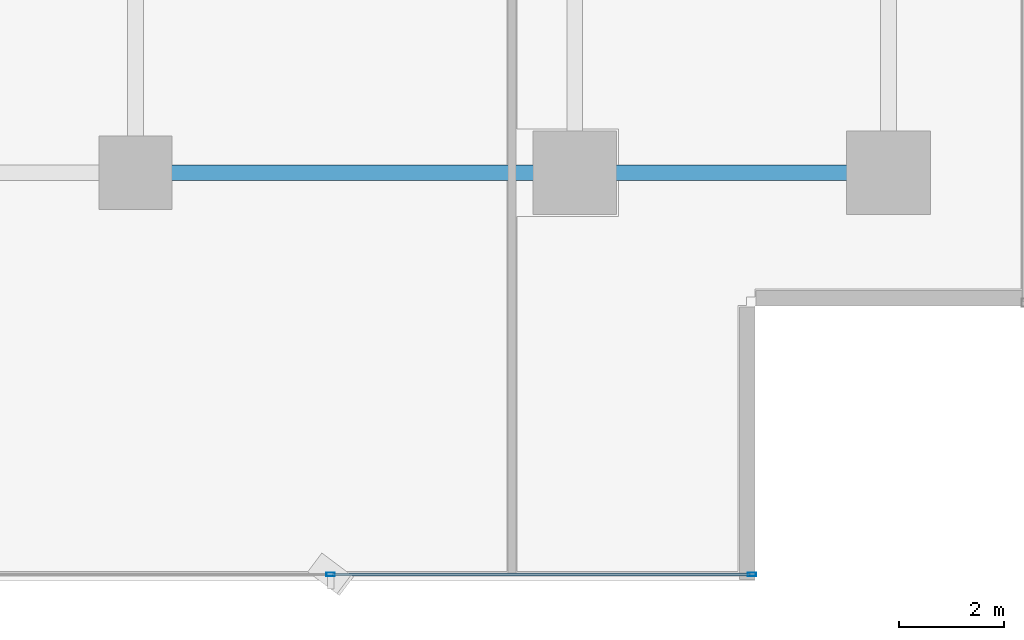
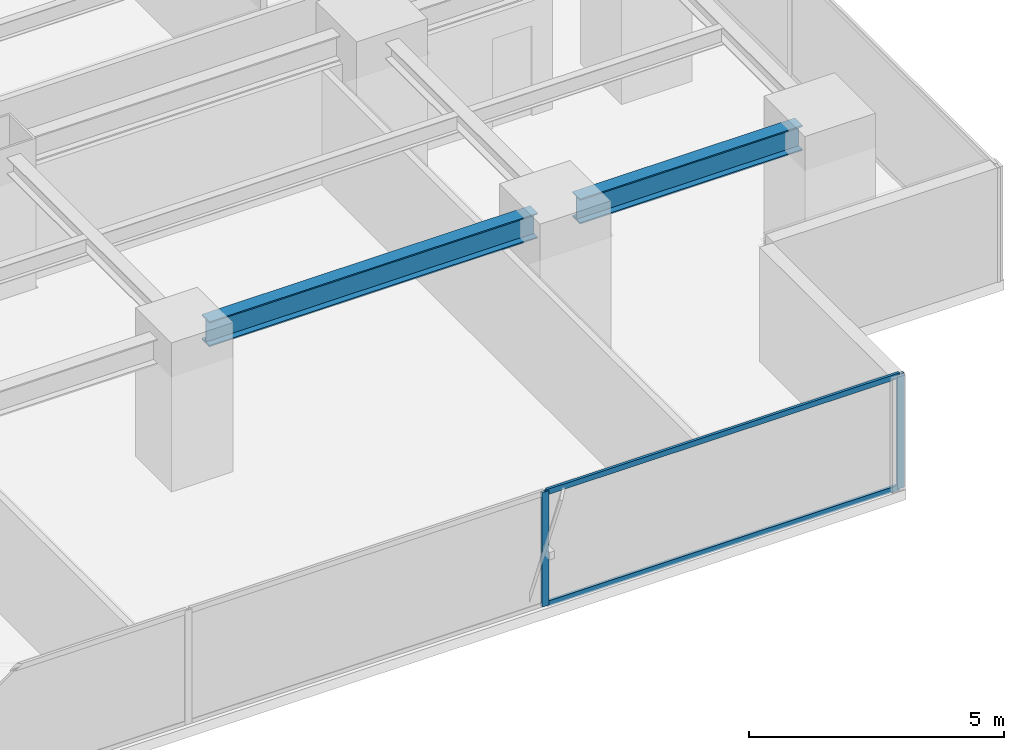
# One storey, part 12 of 37: 4 members, 2 beams, 1 element without a shape of its own.
"""IFC4 building model written with IfcOpenShell, lengths in metres."""

from ifc_helpers import new_model, si_unit, direction, frame, origin, origin_2d, place, context, subcontext, project, spatial, hollow_rectangle, i_section, extrude, source, transform, mapped, material, layer, layer_set, material_profile, profile_set, type_object, element, aggregate, save


model = new_model("IFC4")

# Units and contexts
model_context = context("Model", 3, precision=1e-05, world=origin(), true_north=direction((0.0, 1.0)))
body_context = subcontext(model_context, "Body", "Model", "MODEL_VIEW")
ifc_project = project(units=[si_unit("LENGTHUNIT", "METRE"), si_unit("AREAUNIT", "SQUARE_METRE"), si_unit("VOLUMEUNIT", "CUBIC_METRE"), si_unit("PLANEANGLEUNIT", "RADIAN"), si_unit("MASSUNIT", "GRAM", prefix="KILO")], contexts=[model_context])

# Site, building, storey
site_placement = place(None, origin())
site = spatial("IfcSite", under=ifc_project, at=site_placement, CompositionType="ELEMENT")
building_placement = place(site_placement, origin())
building = spatial("IfcBuilding", under=site, at=building_placement, Name="Sumidabori Civic Tower", CompositionType="ELEMENT")
storey_placement = place(building_placement, frame((0.0, 0.0, 95.60009765625)))
storey = spatial("IfcBuildingStorey", under=building, at=storey_placement, Name="L24", CompositionType="ELEMENT", Elevation=95.60009765625)

# Beams
ifc_material_1 = material(Name="Steel SN490", Category="steel")
ifc_material_profile_1 = material_profile(ifc_material_1, i_section(OverallWidth=0.300048828125, OverallDepth=0.60009765625, WebThickness=0.015380859375, FlangeThickness=0.030029296875, at=origin_2d()), Name="HE 600 B")
ifc_profile_set_1 = profile_set([ifc_material_profile_1], Name="Steel SN490")
beam_type = type_object("IfcBeamType", Name="BM-GIRD-600", PredefinedType="BEAM", material=ifc_profile_set_1)
shared_shape_1 = source(origin(), body_context, "Body", "SweptSolid", [
    extrude(i_section(OverallWidth=0.300048828125, OverallDepth=0.60009765625, WebThickness=0.015380859375, FlangeThickness=0.030029296875, at=origin_2d()), origin(), (0.0, 0.0, 1.0), 5.0400390625),
])
beam_1_placement = place(storey_placement, frame((17.280029296875, -18.0, 3.059814453125), z_axis=(1.0, 0.0, 0.0), x_axis=(0.0, 1.0, 0.0)))
element("IfcBeam", 1, at=beam_1_placement, inside=storey, type_object=beam_type, Name="Primary Girder L24 GX-06", PredefinedType="BEAM", context=body_context, shape_type="MappedRepresentation", body=[
    mapped(shared_shape_1, transform((0.0, 0.0, 0.0), x_axis=(1.0, 0.0, 0.0), y_axis=(0.0, 1.0, 0.0), z_axis=(0.0, 0.0, 1.0), scale=1.0)),
])
shared_shape_2 = source(origin(), body_context, "Body", "SweptSolid", [
    extrude(i_section(OverallWidth=0.300048828125, OverallDepth=0.60009765625, WebThickness=0.015380859375, FlangeThickness=0.030029296875, at=origin_2d()), origin(), (0.0, 0.0, 1.0), 7.440185546875),
])
beam_2_placement = place(storey_placement, frame((8.8798828125, -18.0, 3.059814453125), z_axis=(1.0, 0.0, 0.0), x_axis=(0.0, 1.0, 0.0)))
element("IfcBeam", 2, at=beam_2_placement, inside=storey, type_object=beam_type, Name="Primary Girder L24 GX-05", PredefinedType="BEAM", context=body_context, shape_type="MappedRepresentation", body=[
    mapped(shared_shape_2, transform((0.0, 0.0, 0.0), x_axis=(1.0, 0.0, 0.0), y_axis=(0.0, 1.0, 0.0), z_axis=(0.0, 0.0, 1.0), scale=1.0)),
])

# Curtain wall, members
ifc_material_2 = material(Name="Anodised Bronze Aluminium AW-6063-T6", Category="aluminium")
ifc_layer = layer(ifc_material_2, 0.179931640625, Name="Anodised Bronze Aluminium AW-6063-T6")
ifc_layer_set = layer_set([ifc_layer], Name="Anodised Bronze Aluminium AW-6063-T6")
curtain_wall_type = type_object("IfcCurtainWallType", Name="CW-SYS-3", PredefinedType="NOTDEFINED", material=ifc_layer_set)
curtain_wall_placement = place(storey_placement, origin())
curtain_wall = element("IfcCurtainWall", 3, at=curtain_wall_placement, inside=storey, type_object=curtain_wall_type, Name="Curtain Wall CW:L24:R01", PredefinedType="NOTDEFINED")
ifc_material_profile_2 = material_profile(ifc_material_2, hollow_rectangle(XDim=0.06494140625, YDim=0.159912109375, WallThickness=0.0048828125, at=origin_2d()), Name="ALU MULLION 160x65")
ifc_profile_set_2 = profile_set([ifc_material_profile_2], Name="Anodised Bronze Aluminium AW-6063-T6")
member_type_1 = type_object("IfcMemberType", Name="CW-MUL-160", PredefinedType="MULLION", material=ifc_profile_set_2)
shared_shape_3 = source(origin(), body_context, "Body", "SweptSolid", [
    extrude(hollow_rectangle(XDim=0.06494140625, YDim=0.159912109375, WallThickness=0.0048828125, at=origin_2d()), origin(), (0.0, 0.0, 1.0), 2.739990234375),
])
member_1_placement = place(storey_placement, frame((12.132080078125, -25.679931640625, 0.0), z_axis=(0.0, 0.0, 1.0), x_axis=(0.0, 1.0, 0.0)))
member_1 = element("IfcMember", 4, at=member_1_placement, type_object=member_type_1, Name="CW-3 mullion 5", PredefinedType="MULLION", context=body_context, shape_type="MappedRepresentation", body=[
    mapped(shared_shape_3, transform((0.0, 0.0, 0.0), x_axis=(1.0, 0.0, 0.0), y_axis=(0.0, 1.0, 0.0), z_axis=(0.0, 0.0, 1.0), scale=1.0)),
])
member_2_placement = place(storey_placement, frame((20.1875, -25.679931640625, 0.0), z_axis=(0.0, 0.0, 1.0), x_axis=(0.0, 1.0, 0.0)))
member_2 = element("IfcMember", 5, at=member_2_placement, type_object=member_type_1, Name="CW-3 mullion 6", PredefinedType="MULLION", context=body_context, shape_type="MappedRepresentation", body=[
    mapped(shared_shape_3, transform((0.0, 0.0, 0.0), x_axis=(1.0, 0.0, 0.0), y_axis=(0.0, 1.0, 0.0), z_axis=(0.0, 0.0, 1.0), scale=1.0)),
])
ifc_material_profile_3 = material_profile(ifc_material_2, hollow_rectangle(XDim=0.06005859375, YDim=0.1298828125, WallThickness=0.0048828125, at=origin_2d()), Name="ALU TRANSOM 130x60")
ifc_profile_set_3 = profile_set([ifc_material_profile_3], Name="Anodised Bronze Aluminium AW-6063-T6")
member_type_2 = type_object("IfcMemberType", Name="CW-TRN-130", PredefinedType="USERDEFINED", material=ifc_profile_set_3)
shared_shape_4 = source(origin(), body_context, "Body", "SweptSolid", [
    extrude(hollow_rectangle(XDim=0.06005859375, YDim=0.1298828125, WallThickness=0.0048828125, at=origin_2d()), origin(), (0.0, 0.0, 1.0), 7.990478515625),
])
member_3_placement = place(storey_placement, frame((12.16455078125, -25.679931640625, 0.02978515625), z_axis=(1.0, 0.0, 0.0), x_axis=(0.0, 1.0, 0.0)))
member_3 = element("IfcMember", 6, at=member_3_placement, type_object=member_type_2, Name="CW-3 transom 5.1", ObjectType="TRANSOM", PredefinedType="USERDEFINED", context=body_context, shape_type="MappedRepresentation", body=[
    mapped(shared_shape_4, transform((0.0, 0.0, 0.0), x_axis=(1.0, 0.0, 0.0), y_axis=(0.0, 1.0, 0.0), z_axis=(0.0, 0.0, 1.0), scale=1.0)),
])
member_4_placement = place(storey_placement, frame((12.16455078125, -25.679931640625, 2.7099609375), z_axis=(1.0, 0.0, 0.0), x_axis=(0.0, 1.0, 0.0)))
member_4 = element("IfcMember", 7, at=member_4_placement, type_object=member_type_2, Name="CW-3 transom 5.2", ObjectType="TRANSOM", PredefinedType="USERDEFINED", context=body_context, shape_type="MappedRepresentation", body=[
    mapped(shared_shape_4, transform((0.0, 0.0, 0.0), x_axis=(1.0, 0.0, 0.0), y_axis=(0.0, 1.0, 0.0), z_axis=(0.0, 0.0, 1.0), scale=1.0)),
])
aggregate(curtain_wall, [member_1, member_2, member_3, member_4])

save(model, "model.ifc")
